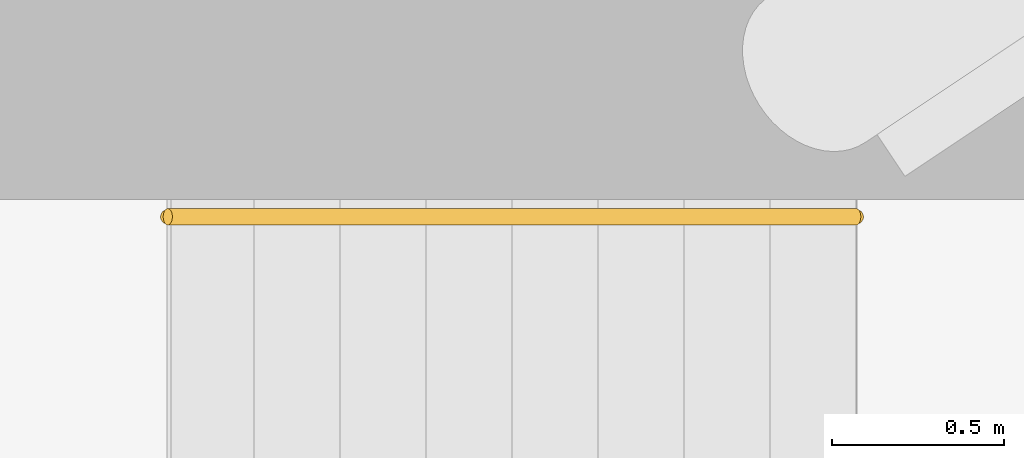
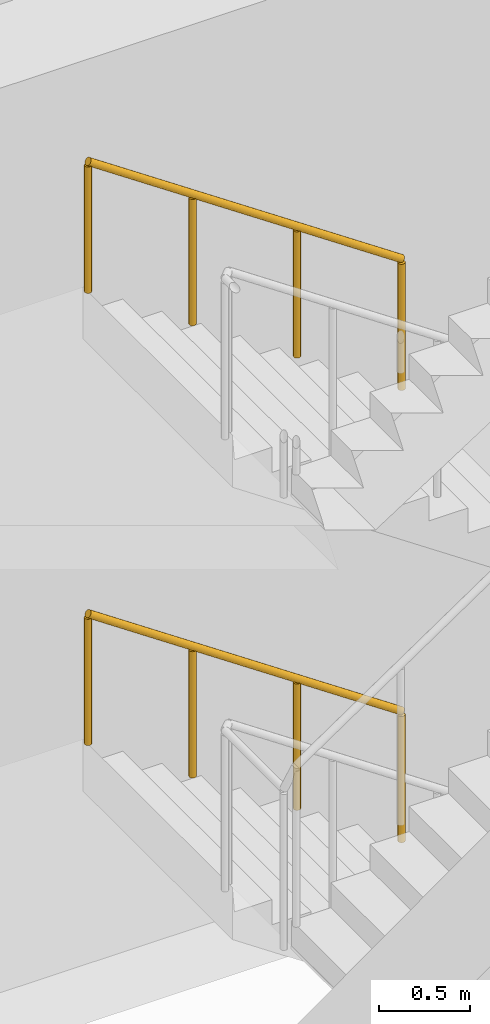
# One storey, part 23 of 23: 2 railings.
"""IFC4 building model written with IfcOpenShell, lengths in metres."""

from ifc_helpers import new_model, si_unit, direction, frame, origin, origin_2d, place, context, subcontext, project, spatial, circle, extrude, material, type_object, element, save


model = new_model("IFC4")

# Units and contexts
model_context = context("Model", 3, precision=1e-05, world=origin(), true_north=direction((0.0, 1.0)))
body_context = subcontext(model_context, "Body", "Model", "MODEL_VIEW")
ifc_project = project(units=[si_unit("LENGTHUNIT", "METRE"), si_unit("AREAUNIT", "SQUARE_METRE"), si_unit("VOLUMEUNIT", "CUBIC_METRE"), si_unit("PLANEANGLEUNIT", "RADIAN"), si_unit("MASSUNIT", "GRAM", prefix="KILO")], contexts=[model_context])

# Site, building, storey
site_placement = place(None, origin())
site = spatial("IfcSite", under=ifc_project, at=site_placement, CompositionType="ELEMENT")
building_placement = place(site_placement, origin())
building = spatial("IfcBuilding", under=site, at=building_placement, Name="Maasbend Ring Residences", CompositionType="ELEMENT")
storey_placement = place(building_placement, frame((0.0, 0.0, 97.14990234375)))
storey = spatial("IfcBuildingStorey", under=building, at=storey_placement, Name="L28", CompositionType="ELEMENT", Elevation=97.14990234375)

# Railings
ifc_material = material(Name="Stainless steel 316", Category="steel")
railing_type = type_object("IfcRailingType", Name="STAIR HANDRAIL 900", PredefinedType="HANDRAIL", material=ifc_material)
for number, where, name in (
    (1, (13.550048828125, 8.550048828125, 0.16943359375), "L28 ST-E1 stair handrail 1"),
    (2, (13.550048828125, 8.550048828125, 3.219482421875), "L28 ST-E1 stair handrail 3"),
):
    element("IfcRailing", number, at=place(storey_placement, frame(where)), inside=storey, type_object=railing_type, Name=name, PredefinedType="HANDRAIL", context=body_context, shape_type="SweptSolid", body=[
        extrude(circle(Radius=0.02392578125, at=origin_2d()), frame((0.0, 0.0, 0.8759765625), z_axis=(-0.827750655447, 0.0, 0.561096116906), x_axis=(0.0, -1.0, 0.0)), (0.0, 0.0, 1.0), 2.416259765625),
        extrude(circle(Radius=0.02099609375, at=origin_2d()), origin(), (0.0, 0.0, 1.0), 0.851806640625),
        extrude(circle(Radius=0.02099609375, at=origin_2d()), frame((-0.666748046875, 0.0, 0.451904296875)), (0.0, 0.0, 1.0), 0.851806640625),
        extrude(circle(Radius=0.02099609375, at=origin_2d()), frame((-1.333251953125, 0.0, 0.90380859375)), (0.0, 0.0, 1.0), 0.851806640625),
        extrude(circle(Radius=0.02099609375, at=origin_2d()), frame((-2.0, 0.0, 1.355712890625)), (0.0, 0.0, 1.0), 0.851806640625),
    ])

save(model, "model.ifc")
